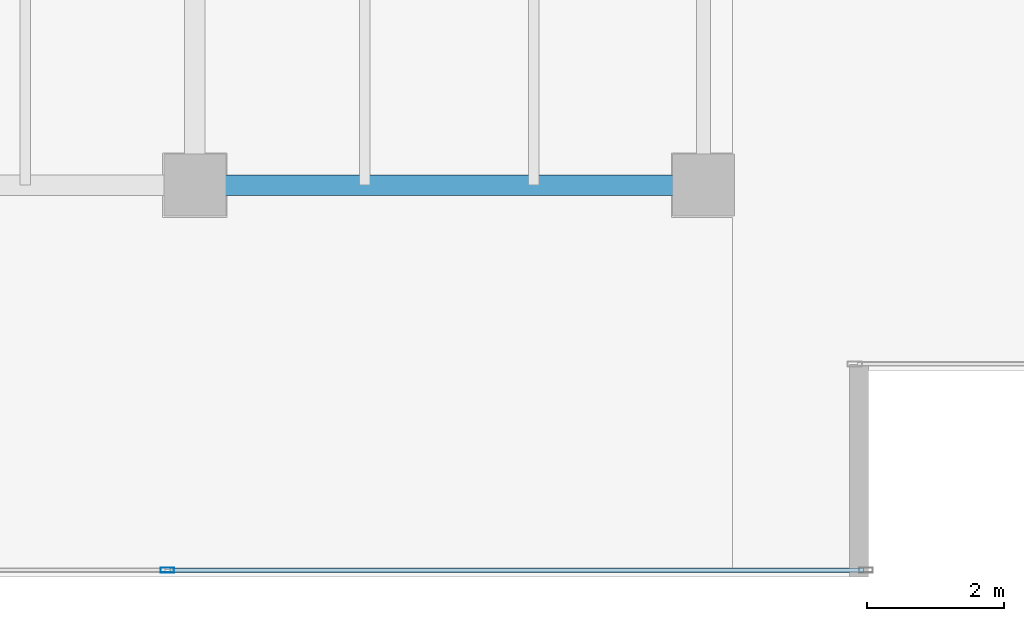
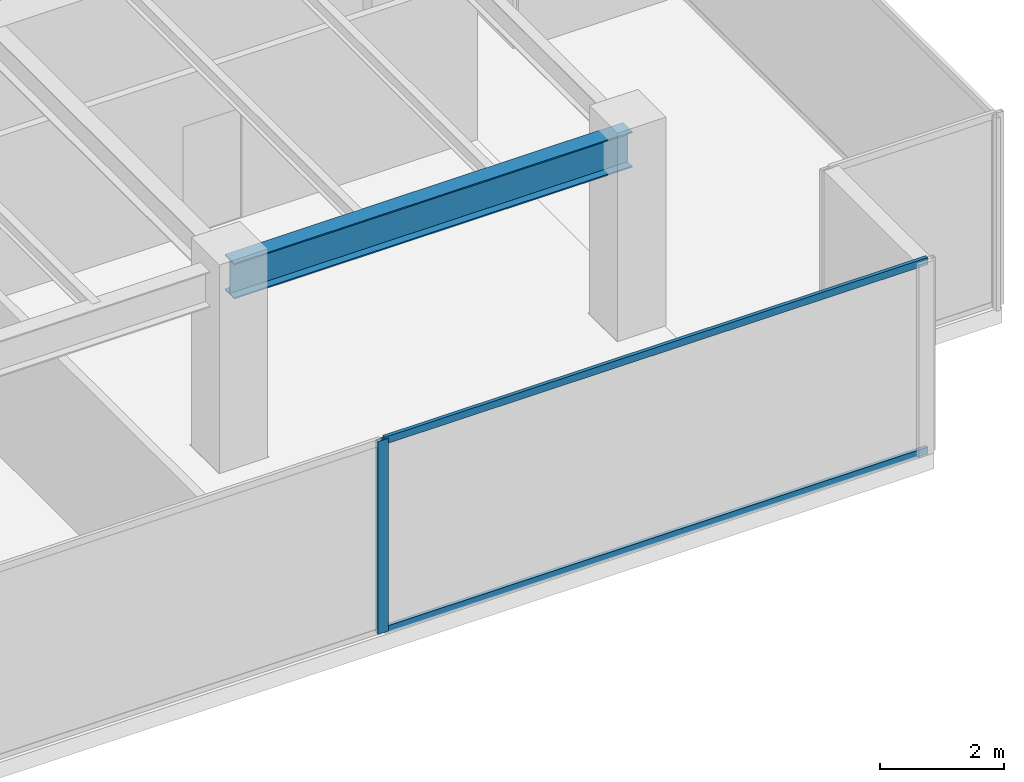
# One storey, part 12 of 33: 3 members, 1 beam, 1 element without a shape of its own.
"""IFC4 building model written with IfcOpenShell, lengths in metres."""

from ifc_helpers import new_model, si_unit, direction, frame, origin, origin_2d, place, context, subcontext, project, spatial, hollow_rectangle, i_section, extrude, source, transform, mapped, material, layer, layer_set, material_profile, profile_set, type_object, type_shapes, element, aggregate, save


model = new_model("IFC4")

# Units and contexts
model_context = context("Model", 3, precision=1e-05, world=origin(), true_north=direction((0.0, 1.0)))
body_context = subcontext(model_context, "Body", "Model", "MODEL_VIEW")
ifc_project = project(units=[si_unit("LENGTHUNIT", "METRE"), si_unit("AREAUNIT", "SQUARE_METRE"), si_unit("VOLUMEUNIT", "CUBIC_METRE"), si_unit("PLANEANGLEUNIT", "RADIAN"), si_unit("MASSUNIT", "GRAM", prefix="KILO")], contexts=[model_context])

# Site, building, storey
site_placement = place(None, origin())
site = spatial("IfcSite", under=ifc_project, at=site_placement, CompositionType="ELEMENT")
building_placement = place(site_placement, origin())
building = spatial("IfcBuilding", under=site, at=building_placement, Name="Haelvirn Gate Laboratories", CompositionType="ELEMENT")
storey_placement = place(building_placement, frame((0.0, 0.0, 166.60009765625)))
storey = spatial("IfcBuildingStorey", under=building, at=storey_placement, Name="L40", CompositionType="ELEMENT", Elevation=166.60009765625)

# Beam
ifc_material_1 = material(Name="Steel SM355", Category="steel")
ifc_material_profile_1 = material_profile(ifc_material_1, i_section(OverallWidth=0.300048828125, OverallDepth=0.699951171875, WebThickness=0.012939453125, FlangeThickness=0.02392578125, at=origin_2d()), Name="H-700x300x13x24")
ifc_profile_set_1 = profile_set([ifc_material_profile_1], Name="Steel SM355")
beam_type = type_object("IfcBeamType", Name="BM-G-700", PredefinedType="BEAM", material=ifc_profile_set_1)
shared_shape_1 = source(origin(), body_context, "Body", "SweptSolid", [
    extrude(i_section(OverallWidth=0.300048828125, OverallDepth=0.699951171875, WebThickness=0.012939453125, FlangeThickness=0.02392578125, at=origin_2d()), origin(), (0.0, 0.0, 1.0), 7.39990234375),
])
type_shapes(beam_type, [shared_shape_1])
beam_placement = place(storey_placement, frame((60.0, 7.0, 3.43994140625), z_axis=(1.0, 0.0, 0.0), x_axis=(0.0, 1.0, 0.0)))
element("IfcBeam", 1, at=beam_placement, inside=storey, type_object=beam_type, Name="L40 Primary Girder Y7.0 (60.0-67.4)", PredefinedType="BEAM", context=body_context, shape_type="MappedRepresentation", body=[
    mapped(shared_shape_1, transform((0.0, 0.0, 0.0), scale=1.0)),
])

# Curtain wall, members
ifc_material_2 = material(Name="Anodised bronze unitised aluminium & triple low-E glass", Category="aluminium")
ifc_layer = layer(ifc_material_2, 0.179931640625, Name="CW-SYS-3")
ifc_layer_set = layer_set([ifc_layer], Name="Anodised bronze unitised aluminium & triple low-E glass")
curtain_wall_type = type_object("IfcCurtainWallType", Name="CW-SYS-3", PredefinedType="NOTDEFINED", material=ifc_layer_set)
curtain_wall_placement = place(storey_placement, origin())
curtain_wall = element("IfcCurtainWall", 2, at=curtain_wall_placement, inside=storey, type_object=curtain_wall_type, Name="L40 Unitised Curtain Wall CW-L40-P0-E04-1", PredefinedType="NOTDEFINED")
ifc_material_3 = material(Name="Extruded aluminium 6063-T6 (anodised bronze)", Category="aluminium")
ifc_material_profile_2 = material_profile(ifc_material_3, hollow_rectangle(XDim=0.06494140625, YDim=0.139892578125, WallThickness=0.00390625, at=origin_2d()), Name="CWT-140x65x4")
ifc_profile_set_2 = profile_set([ifc_material_profile_2], Name="Extruded aluminium 6063-T6 (anodised bronze)")
member_type_1 = type_object("IfcMemberType", Name="CWT-T140", PredefinedType="USERDEFINED", material=ifc_profile_set_2)
shared_shape_2 = source(origin(), body_context, "Body", "SweptSolid", [
    extrude(hollow_rectangle(XDim=0.06494140625, YDim=0.139892578125, WallThickness=0.00390625, at=origin_2d()), origin(), (0.0, 0.0, 1.0), 10.087646484375),
])
type_shapes(member_type_1, [shared_shape_2])
member_1_placement = place(storey_placement, frame((59.637451171875, 1.39990234375, 0.032470703125), z_axis=(1.0, 0.0, 0.0), x_axis=(0.0, 1.0, 0.0)))
member_1 = element("IfcMember", 3, at=member_1_placement, type_object=member_type_1, Name="CW3 transom 2.1", ObjectType="TRANSOM", PredefinedType="USERDEFINED", context=body_context, shape_type="MappedRepresentation", body=[
    mapped(shared_shape_2, transform((0.0, 0.0, 0.0), scale=1.0)),
])
member_2_placement = place(storey_placement, frame((59.637451171875, 1.39990234375, 3.75732421875), z_axis=(1.0, 0.0, 0.0), x_axis=(0.0, 1.0, 0.0)))
member_2 = element("IfcMember", 4, at=member_2_placement, type_object=member_type_1, Name="CW3 transom 2.2", ObjectType="TRANSOM", PredefinedType="USERDEFINED", context=body_context, shape_type="MappedRepresentation", body=[
    mapped(shared_shape_2, transform((0.0, 0.0, 0.0), scale=1.0)),
])
ifc_material_profile_3 = material_profile(ifc_material_3, hollow_rectangle(XDim=0.074951171875, YDim=0.199951171875, WallThickness=0.0048828125, at=origin_2d()), Name="CWM-200x75x5")
ifc_profile_set_3 = profile_set([ifc_material_profile_3], Name="Extruded aluminium 6063-T6 (anodised bronze)")
member_type_2 = type_object("IfcMemberType", Name="CWM-T200", PredefinedType="MULLION", material=ifc_profile_set_3)
shared_shape_3 = source(origin(), body_context, "Body", "SweptSolid", [
    extrude(hollow_rectangle(XDim=0.074951171875, YDim=0.199951171875, WallThickness=0.0048828125, at=origin_2d()), origin(), (0.0, 0.0, 1.0), 3.789794921875),
])
type_shapes(member_type_2, [shared_shape_3])
member_3_placement = place(storey_placement, frame((59.60009765625, 1.39990234375, 0.0), z_axis=(0.0, 0.0, 1.0), x_axis=(0.0, 1.0, 0.0)))
member_3 = element("IfcMember", 5, at=member_3_placement, type_object=member_type_2, Name="CW3 mullion 2", PredefinedType="MULLION", context=body_context, shape_type="MappedRepresentation", body=[
    mapped(shared_shape_3, transform((0.0, 0.0, 0.0), scale=1.0)),
])
aggregate(curtain_wall, [member_3, member_1, member_2])

save(model, "model.ifc")
